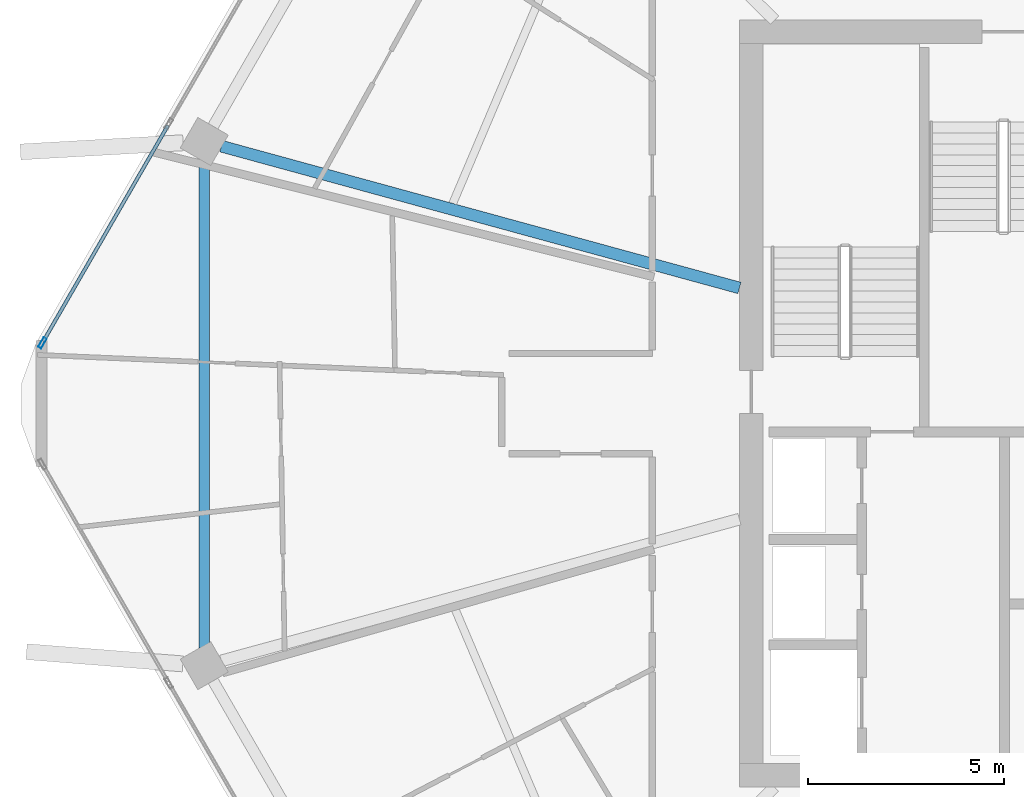
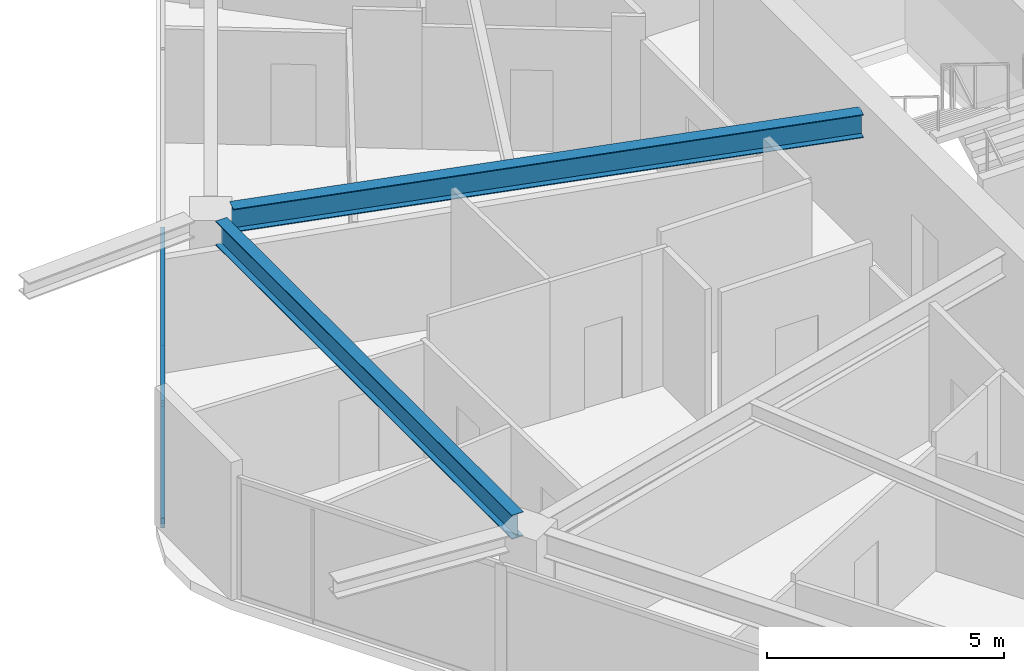
# One storey, part 6 of 26: 3 members, 2 beams, 1 element without a shape of its own.
"""IFC4 building model written with IfcOpenShell, lengths in metres."""

from ifc_helpers import new_model, si_unit, direction, frame, origin, origin_2d, place, context, subcontext, project, spatial, hollow_rectangle, i_section, extrude, material, material_profile, profile_set, type_object, element, aggregate, save


model = new_model("IFC4")

# Units and contexts
model_context = context("Model", 3, precision=1e-05, world=origin(), true_north=direction((0.0, 1.0)))
body_context = subcontext(model_context, "Body", "Model", "MODEL_VIEW")
ifc_project = project(units=[si_unit("LENGTHUNIT", "METRE"), si_unit("AREAUNIT", "SQUARE_METRE"), si_unit("VOLUMEUNIT", "CUBIC_METRE"), si_unit("PLANEANGLEUNIT", "RADIAN"), si_unit("MASSUNIT", "GRAM", prefix="KILO")], contexts=[model_context])

# Site, building, storey
site_placement = place(None, origin())
site = spatial("IfcSite", under=ifc_project, at=site_placement, CompositionType="ELEMENT")
building_placement = place(site_placement, origin())
building = spatial("IfcBuilding", under=site, at=building_placement, Name="Zuhravey Tower", CompositionType="ELEMENT")
storey_placement = place(building_placement, frame((0.0, 0.0, 242.60009765625)))
storey = spatial("IfcBuildingStorey", under=building, at=storey_placement, Name="L61", CompositionType="ELEMENT", Elevation=242.60009765625)

# Curtain wall, members
ifc_material_1 = material(Name="Thermally broken anodised aluminium", Category="aluminium")
curtain_wall_type = type_object("IfcCurtainWallType", Name="Zone 3-4 High-Rise Curtain Wall CW4", PredefinedType="NOTDEFINED", material=ifc_material_1)
curtain_wall_placement = place(storey_placement, origin())
curtain_wall = element("IfcCurtainWall", 1, at=curtain_wall_placement, inside=storey, type_object=curtain_wall_type, Name="L61 CW4 CW-L61-F3-1", PredefinedType="NOTDEFINED")
ifc_material_2 = material(Name="Anodised aluminium", Category="aluminium")
ifc_material_profile_1 = material_profile(ifc_material_2, hollow_rectangle(XDim=0.090087890625, YDim=0.284912109375, WallThickness=0.0048828125, at=origin_2d()), Name="ALU-RHS-90x285x5")
ifc_profile_set_1 = profile_set([ifc_material_profile_1], Name="Anodised aluminium")
member_type_1 = type_object("IfcMemberType", Name="Curtain-Wall Mullion 90x180", PredefinedType="MULLION", material=ifc_profile_set_1)
member_1_placement = place(storey_placement, frame((7.37744140625, 33.551513671875, 0.0), z_axis=(0.0, 0.0, 1.0), x_axis=(-0.866024851021, 0.500000957414, 0.0)))
member_1 = element("IfcMember", 2, at=member_1_placement, type_object=member_type_1, Name="CW4 mullion 1", PredefinedType="MULLION", context=body_context, shape_type="SweptSolid", body=[
    extrude(hollow_rectangle(XDim=0.090087890625, YDim=0.284912109375, WallThickness=0.0048828125, at=origin_2d()), origin(), (0.0, 0.0, 1.0), 3.121826171875),
])
ifc_material_profile_2 = material_profile(ifc_material_2, hollow_rectangle(XDim=0.090087890625, YDim=0.14990234375, WallThickness=0.0048828125, at=origin_2d()), Name="ALU-RHS-90x150x5")
ifc_profile_set_2 = profile_set([ifc_material_profile_2], Name="Anodised aluminium")
member_type_2 = type_object("IfcMemberType", Name="Curtain-Wall Transom 90x150", PredefinedType="USERDEFINED", material=ifc_profile_set_2)
member_2_placement = place(storey_placement, frame((7.39990234375, 33.59033203125, 0.044921875), z_axis=(0.500008810174, 0.866020317169, 0.0), x_axis=(-0.866020317169, 0.500008810174, 0.0)))
member_2 = element("IfcMember", 3, at=member_2_placement, type_object=member_type_2, Name="CW4 transom 1.1", ObjectType="TRANSOM", PredefinedType="USERDEFINED", context=body_context, shape_type="SweptSolid", body=[
    extrude(hollow_rectangle(XDim=0.090087890625, YDim=0.14990234375, WallThickness=0.0048828125, at=origin_2d()), origin(), (0.0, 0.0, 1.0), 6.37158203125),
])
member_3_placement = place(storey_placement, frame((7.39990234375, 33.59033203125, 3.076904296875), z_axis=(0.500008810174, 0.866020317169, 0.0), x_axis=(-0.866020317169, 0.500008810174, 0.0)))
member_3 = element("IfcMember", 4, at=member_3_placement, type_object=member_type_2, Name="CW4 transom 1.2", ObjectType="TRANSOM", PredefinedType="USERDEFINED", context=body_context, shape_type="SweptSolid", body=[
    extrude(hollow_rectangle(XDim=0.090087890625, YDim=0.14990234375, WallThickness=0.0048828125, at=origin_2d()), origin(), (0.0, 0.0, 1.0), 6.37158203125),
])
aggregate(curtain_wall, [member_1, member_2, member_3])

# Beams
ifc_material_3 = material(Name="Steel SM355", Category="steel")
ifc_material_profile_3 = material_profile(ifc_material_3, i_section(OverallWidth=0.280029296875, OverallDepth=0.6201171875, WebThickness=0.011962890625, FlangeThickness=0.02001953125, at=origin_2d()), Name="H-620x280x12x20")
ifc_profile_set_3 = profile_set([ifc_material_profile_3], Name="Steel SM355")
beam_type_1 = type_object("IfcBeamType", Name="Perimeter Ring Beam H620x280", PredefinedType="BEAM", material=ifc_profile_set_3)
beam_1_placement = place(storey_placement, frame((11.515380859375, 38.245849609375, 3.239990234375), z_axis=(0.0, -1.0, 0.0), x_axis=(1.0, 0.0, 0.0)))
element("IfcBeam", 5, at=beam_1_placement, inside=storey, type_object=beam_type_1, Name="L61 PB3 BM-L61-PB-06", PredefinedType="BEAM", context=body_context, shape_type="SweptSolid", body=[
    extrude(i_section(OverallWidth=0.280029296875, OverallDepth=0.6201171875, WebThickness=0.011962890625, FlangeThickness=0.02001953125, at=origin_2d()), origin(), (0.0, 0.0, 1.0), 12.49169921875),
])
ifc_material_profile_4 = material_profile(ifc_material_3, i_section(OverallWidth=0.300048828125, OverallDepth=0.60009765625, WebThickness=0.011962890625, FlangeThickness=0.02001953125, at=origin_2d()), Name="H-600x300x12x20")
ifc_profile_set_4 = profile_set([ifc_material_profile_4], Name="Steel SM355")
beam_type_2 = type_object("IfcBeamType", Name="Radial Primary Girder H600x300", PredefinedType="BEAM", material=ifc_profile_set_4)
beam_2_placement = place(storey_placement, frame((25.197021484375, 34.95556640625, 3.25), z_axis=(-0.964548913045, 0.26390413855, 0.0), x_axis=(-0.26390413855, -0.964548913045, 0.0)))
element("IfcBeam", 6, at=beam_2_placement, inside=storey, type_object=beam_type_2, Name="L61 RG3 BM-L61-RAD-06", PredefinedType="BEAM", context=body_context, shape_type="SweptSolid", body=[
    extrude(i_section(OverallWidth=0.300048828125, OverallDepth=0.60009765625, WebThickness=0.011962890625, FlangeThickness=0.02001953125, at=origin_2d()), origin(), (0.0, 0.0, 1.0), 13.7314453125),
])

save(model, "model.ifc")
